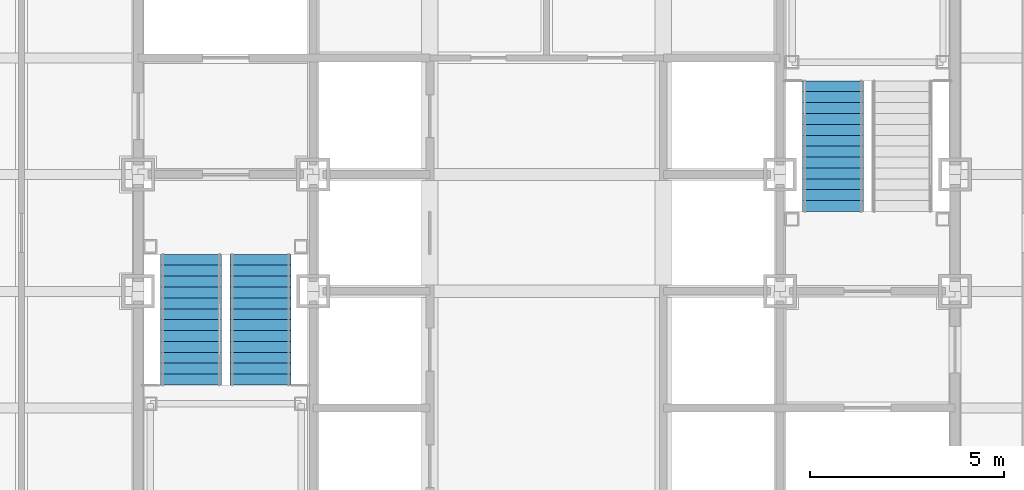
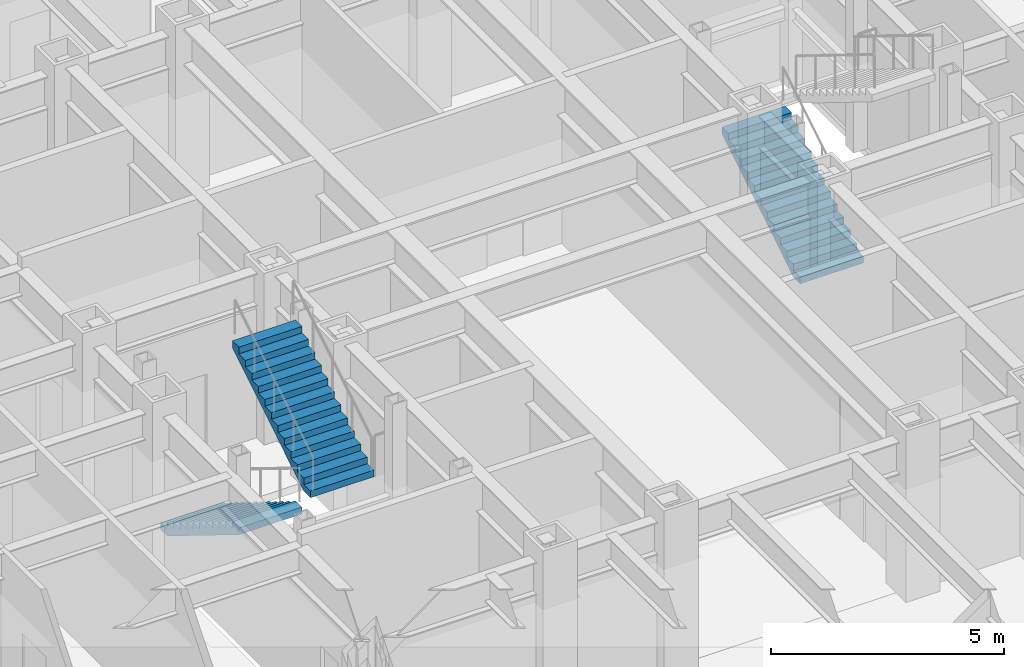
# One storey, part 12 of 17: 3 stair flights, 2 elements without a shape of their own.
"""IFC4 building model written with IfcOpenShell, lengths in metres."""

from ifc_helpers import new_model, si_unit, direction, frame, origin, place, context, subcontext, project, spatial, faceted_brep, material, type_object, element, aggregate, save


model = new_model("IFC4")

# Units and contexts
model_context = context("Model", 3, precision=1e-05, world=origin(), true_north=direction((0.0, 1.0)))
body_context = subcontext(model_context, "Body", "Model", "MODEL_VIEW")
ifc_project = project(units=[si_unit("LENGTHUNIT", "METRE"), si_unit("AREAUNIT", "SQUARE_METRE"), si_unit("VOLUMEUNIT", "CUBIC_METRE"), si_unit("PLANEANGLEUNIT", "RADIAN"), si_unit("MASSUNIT", "GRAM", prefix="KILO")], contexts=[model_context])

# Site, building, storey
site_placement = place(None, origin())
site = spatial("IfcSite", under=ifc_project, at=site_placement, CompositionType="ELEMENT")
building_placement = place(site_placement, origin())
building = spatial("IfcBuilding", under=site, at=building_placement, Name="Chuquiago Exchange Tower", CompositionType="ELEMENT")
storey_placement = place(building_placement, frame((0.0, 0.0, 37.800048828125)))
storey = spatial("IfcBuildingStorey", under=building, at=storey_placement, Name="L07", CompositionType="ELEMENT", Elevation=37.800048828125)

# Stair, stair flights
ifc_material_1 = material(Name="Concrete C30/37, precast", Category="concrete")
stair_type_1 = type_object("IfcStairType", Name="ST1 half-turn stair 4500", PredefinedType="HALF_TURN_STAIR", material=ifc_material_1)
stair_1_placement = place(storey_placement, origin())
stair_1 = element("IfcStair", 1, at=stair_1_placement, inside=storey, type_object=stair_type_1, Name="Stair ST1 L07", PredefinedType="HALF_TURN_STAIR")
ifc_material_2 = material(Name="Concrete C30/37, precast", Category="concrete")
stair_flight_type = type_object("IfcStairFlightType", Name="ST-F flight 1570 for 4500 storey", PredefinedType="STRAIGHT", material=ifc_material_2)
stair_flight_1_placement = place(storey_placement, frame((13.360107421875, 21.949951171875, 0.0), z_axis=(0.0, 0.0, 1.0), x_axis=(0.0, -1.0, 0.0)))
stair_flight_1 = element("IfcStairFlight", 2, at=stair_flight_1_placement, type_object=stair_flight_type, Name="ST1 flight 1", NumberOfRisers=13, NumberOfTreads=12, PredefinedType="STRAIGHT", RiserHeight=0.173076923, TreadLength=0.28, context=body_context, shape_type="Brep", body=[
    faceted_brep([(0.0, 0.78515625, 0.0), (0.0, 0.78515625, 0.173095703125), (0.280029296875, 0.78515625, 0.173095703125), (0.280029296875, 0.78515625, 0.34619140625), (0.56005859375, 0.78515625, 0.34619140625), (0.56005859375, 0.78515625, 0.519287109375), (0.840087890625, 0.78515625, 0.519287109375), (0.840087890625, 0.78515625, 0.6923828125), (1.1201171875, 0.78515625, 0.6923828125), (1.1201171875, 0.78515625, 0.865478515625), (1.39990234375, 0.78515625, 0.865478515625), (1.39990234375, 0.78515625, 1.03857421875), (1.679931640625, 0.78515625, 1.03857421875), (1.679931640625, 0.78515625, 1.21142578125), (1.9599609375, 0.78515625, 1.21142578125), (1.9599609375, 0.78515625, 1.384521484375), (2.239990234375, 0.78515625, 1.384521484375), (2.239990234375, 0.78515625, 1.5576171875), (2.52001953125, 0.78515625, 1.5576171875), (2.52001953125, 0.78515625, 1.730712890625), (2.800048828125, 0.78515625, 1.730712890625), (2.800048828125, 0.78515625, 1.90380859375), (3.080078125, 0.78515625, 1.90380859375), (3.080078125, 0.78515625, 2.076904296875), (3.360107421875, 0.78515625, 2.076904296875), (3.360107421875, 0.78515625, 1.900634765625), (0.28515625, 0.78515625, 0.0), (0.28515625, -0.78515625, 0.0), (3.360107421875, -0.78515625, 1.900634765625), (3.360107421875, -0.78515625, 2.076904296875), (3.080078125, -0.78515625, 2.076904296875), (3.080078125, -0.78515625, 1.90380859375), (2.800048828125, -0.78515625, 1.90380859375), (2.800048828125, -0.78515625, 1.730712890625), (2.52001953125, -0.78515625, 1.730712890625), (2.52001953125, -0.78515625, 1.5576171875), (2.239990234375, -0.78515625, 1.5576171875), (2.239990234375, -0.78515625, 1.384521484375), (1.9599609375, -0.78515625, 1.384521484375), (1.9599609375, -0.78515625, 1.21142578125), (1.679931640625, -0.78515625, 1.21142578125), (1.679931640625, -0.78515625, 1.03857421875), (1.39990234375, -0.78515625, 1.03857421875), (1.39990234375, -0.78515625, 0.865478515625), (1.1201171875, -0.78515625, 0.865478515625), (1.1201171875, -0.78515625, 0.6923828125), (0.840087890625, -0.78515625, 0.6923828125), (0.840087890625, -0.78515625, 0.519287109375), (0.56005859375, -0.78515625, 0.519287109375), (0.56005859375, -0.78515625, 0.34619140625), (0.280029296875, -0.78515625, 0.34619140625), (0.280029296875, -0.78515625, 0.173095703125), (0.0, -0.78515625, 0.173095703125), (0.0, -0.78515625, 0.0), (0.0, 0.392578125, 0.0), (0.0, 0.392578125, 0.173095703125), (0.0, 0.0, 0.0), (0.0, 0.0, 0.173095703125), (0.0, -0.392578125, 0.0), (0.0, -0.392578125, 0.173095703125), (0.280029296875, 0.392578125, 0.173095703125), (0.280029296875, 0.0, 0.173095703125), (0.280029296875, -0.392578125, 0.173095703125), (0.280029296875, 0.392578125, 0.34619140625), (0.280029296875, 0.0, 0.34619140625), (0.280029296875, -0.392578125, 0.34619140625), (0.56005859375, 0.392578125, 0.34619140625), (0.56005859375, 0.0, 0.34619140625), (0.56005859375, -0.392578125, 0.34619140625), (0.56005859375, 0.392578125, 0.519287109375), (0.56005859375, 0.0, 0.519287109375), (0.56005859375, -0.392578125, 0.519287109375), (0.840087890625, 0.392578125, 0.519287109375), (0.840087890625, 0.0, 0.519287109375), (0.840087890625, -0.392578125, 0.519287109375), (0.840087890625, 0.392578125, 0.6923828125), (0.840087890625, 0.0, 0.6923828125), (0.840087890625, -0.392578125, 0.6923828125), (1.1201171875, 0.392578125, 0.6923828125), (1.1201171875, 0.0, 0.6923828125), (1.1201171875, -0.392578125, 0.6923828125), (1.1201171875, 0.392578125, 0.865478515625), (1.1201171875, 0.0, 0.865478515625), (1.1201171875, -0.392578125, 0.865478515625), (1.39990234375, 0.392578125, 0.865478515625), (1.39990234375, 0.0, 0.865478515625), (1.39990234375, -0.392578125, 0.865478515625), (1.39990234375, 0.392578125, 1.03857421875), (1.39990234375, 0.0, 1.03857421875), (1.39990234375, -0.392578125, 1.03857421875), (1.679931640625, 0.392578125, 1.03857421875), (1.679931640625, 0.0, 1.03857421875), (1.679931640625, -0.392578125, 1.03857421875), (1.679931640625, 0.392578125, 1.21142578125), (1.679931640625, 0.0, 1.21142578125), (1.679931640625, -0.392578125, 1.21142578125), (1.9599609375, 0.392578125, 1.21142578125), (1.9599609375, 0.0, 1.21142578125), (1.9599609375, -0.392578125, 1.21142578125), (1.9599609375, 0.392578125, 1.384521484375), (1.9599609375, 0.0, 1.384521484375), (1.9599609375, -0.392578125, 1.384521484375), (2.239990234375, 0.392578125, 1.384521484375), (2.239990234375, 0.0, 1.384521484375), (2.239990234375, -0.392578125, 1.384521484375), (2.239990234375, 0.392578125, 1.5576171875), (2.239990234375, 0.0, 1.5576171875), (2.239990234375, -0.392578125, 1.5576171875), (2.52001953125, 0.392578125, 1.5576171875), (2.52001953125, 0.0, 1.5576171875), (2.52001953125, -0.392578125, 1.5576171875), (2.52001953125, 0.392578125, 1.730712890625), (2.52001953125, 0.0, 1.730712890625), (2.52001953125, -0.392578125, 1.730712890625), (2.800048828125, 0.392578125, 1.730712890625), (2.800048828125, 0.0, 1.730712890625), (2.800048828125, -0.392578125, 1.730712890625), (2.800048828125, 0.392578125, 1.90380859375), (2.800048828125, 0.0, 1.90380859375), (2.800048828125, -0.392578125, 1.90380859375), (3.080078125, 0.392578125, 1.90380859375), (3.080078125, 0.0, 1.90380859375), (3.080078125, -0.392578125, 1.90380859375), (3.080078125, 0.392578125, 2.076904296875), (3.080078125, 0.0, 2.076904296875), (3.080078125, -0.392578125, 2.076904296875), (3.360107421875, 0.392578125, 2.076904296875), (3.360107421875, 0.0, 2.076904296875), (3.360107421875, -0.392578125, 2.076904296875), (3.360107421875, 0.392578125, 1.900634765625), (3.360107421875, 0.0, 1.900634765625), (3.360107421875, -0.392578125, 1.900634765625), (0.28515625, 0.392578125, 0.0), (0.28515625, 0.0, 0.0), (0.28515625, -0.392578125, 0.0)], [[[0, 1, 2, 3, 4, 5, 6, 7, 8, 9, 10, 11, 12, 13, 14, 15, 16, 17, 18, 19, 20, 21, 22, 23, 24, 25, 26]], [[27, 28, 29, 30, 31, 32, 33, 34, 35, 36, 37, 38, 39, 40, 41, 42, 43, 44, 45, 46, 47, 48, 49, 50, 51, 52, 53]], [[1, 0, 54, 55]], [[55, 54, 56, 57]], [[57, 56, 58, 59]], [[59, 58, 53, 52]], [[2, 1, 55, 60]], [[60, 55, 57, 61]], [[61, 57, 59, 62]], [[62, 59, 52, 51]], [[3, 2, 60, 63]], [[63, 60, 61, 64]], [[64, 61, 62, 65]], [[65, 62, 51, 50]], [[4, 3, 63, 66]], [[66, 63, 64, 67]], [[67, 64, 65, 68]], [[68, 65, 50, 49]], [[5, 4, 66, 69]], [[69, 66, 67, 70]], [[70, 67, 68, 71]], [[71, 68, 49, 48]], [[6, 5, 69, 72]], [[72, 69, 70, 73]], [[73, 70, 71, 74]], [[74, 71, 48, 47]], [[7, 6, 72, 75]], [[75, 72, 73, 76]], [[76, 73, 74, 77]], [[77, 74, 47, 46]], [[8, 7, 75, 78]], [[78, 75, 76, 79]], [[79, 76, 77, 80]], [[80, 77, 46, 45]], [[9, 8, 78, 81]], [[81, 78, 79, 82]], [[82, 79, 80, 83]], [[83, 80, 45, 44]], [[10, 9, 81, 84]], [[84, 81, 82, 85]], [[85, 82, 83, 86]], [[86, 83, 44, 43]], [[11, 10, 84, 87]], [[87, 84, 85, 88]], [[88, 85, 86, 89]], [[89, 86, 43, 42]], [[12, 11, 87, 90]], [[90, 87, 88, 91]], [[91, 88, 89, 92]], [[92, 89, 42, 41]], [[13, 12, 90, 93]], [[93, 90, 91, 94]], [[94, 91, 92, 95]], [[95, 92, 41, 40]], [[14, 13, 93, 96]], [[96, 93, 94, 97]], [[97, 94, 95, 98]], [[98, 95, 40, 39]], [[15, 14, 96, 99]], [[99, 96, 97, 100]], [[100, 97, 98, 101]], [[101, 98, 39, 38]], [[16, 15, 99, 102]], [[102, 99, 100, 103]], [[103, 100, 101, 104]], [[104, 101, 38, 37]], [[17, 16, 102, 105]], [[105, 102, 103, 106]], [[106, 103, 104, 107]], [[107, 104, 37, 36]], [[18, 17, 105, 108]], [[108, 105, 106, 109]], [[109, 106, 107, 110]], [[110, 107, 36, 35]], [[19, 18, 108, 111]], [[111, 108, 109, 112]], [[112, 109, 110, 113]], [[113, 110, 35, 34]], [[20, 19, 111, 114]], [[114, 111, 112, 115]], [[115, 112, 113, 116]], [[116, 113, 34, 33]], [[21, 20, 114, 117]], [[117, 114, 115, 118]], [[118, 115, 116, 119]], [[119, 116, 33, 32]], [[22, 21, 117, 120]], [[120, 117, 118, 121]], [[121, 118, 119, 122]], [[122, 119, 32, 31]], [[23, 22, 120, 123]], [[123, 120, 121, 124]], [[124, 121, 122, 125]], [[125, 122, 31, 30]], [[24, 23, 123, 126]], [[126, 123, 124, 127]], [[127, 124, 125, 128]], [[128, 125, 30, 29]], [[25, 24, 126, 129]], [[129, 126, 127, 130]], [[130, 127, 128, 131]], [[131, 128, 29, 28]], [[26, 25, 129, 132]], [[132, 129, 130, 133]], [[133, 130, 131, 134]], [[134, 131, 28, 27]], [[0, 26, 132, 54]], [[54, 132, 133, 56]], [[56, 133, 134, 58]], [[58, 134, 27, 53]]]),
])
stair_flight_2_placement = place(storey_placement, frame((15.139892578125, 18.590087890625, 2.25), z_axis=(0.0, 0.0, 1.0), x_axis=(0.0, 1.0, 0.0)))
stair_flight_2 = element("IfcStairFlight", 3, at=stair_flight_2_placement, type_object=stair_flight_type, Name="ST1 flight 2", NumberOfRisers=13, NumberOfTreads=12, PredefinedType="STRAIGHT", RiserHeight=0.173076923, TreadLength=0.28, context=body_context, shape_type="Brep", body=[
    faceted_brep([(0.0, 0.78515625, 0.0), (0.0, 0.78515625, 0.173095703125), (0.280029296875, 0.78515625, 0.173095703125), (0.280029296875, 0.78515625, 0.34619140625), (0.56005859375, 0.78515625, 0.34619140625), (0.56005859375, 0.78515625, 0.519287109375), (0.840087890625, 0.78515625, 0.519287109375), (0.840087890625, 0.78515625, 0.6923828125), (1.1201171875, 0.78515625, 0.6923828125), (1.1201171875, 0.78515625, 0.865478515625), (1.39990234375, 0.78515625, 0.865478515625), (1.39990234375, 0.78515625, 1.03857421875), (1.679931640625, 0.78515625, 1.03857421875), (1.679931640625, 0.78515625, 1.21142578125), (1.9599609375, 0.78515625, 1.21142578125), (1.9599609375, 0.78515625, 1.384521484375), (2.239990234375, 0.78515625, 1.384521484375), (2.239990234375, 0.78515625, 1.5576171875), (2.52001953125, 0.78515625, 1.5576171875), (2.52001953125, 0.78515625, 1.730712890625), (2.800048828125, 0.78515625, 1.730712890625), (2.800048828125, 0.78515625, 1.90380859375), (3.080078125, 0.78515625, 1.90380859375), (3.080078125, 0.78515625, 2.076904296875), (3.360107421875, 0.78515625, 2.076904296875), (3.360107421875, 0.78515625, 1.900634765625), (0.28515625, 0.78515625, 0.0), (0.28515625, -0.78515625, 0.0), (3.360107421875, -0.78515625, 1.900634765625), (3.360107421875, -0.78515625, 2.076904296875), (3.080078125, -0.78515625, 2.076904296875), (3.080078125, -0.78515625, 1.90380859375), (2.800048828125, -0.78515625, 1.90380859375), (2.800048828125, -0.78515625, 1.730712890625), (2.52001953125, -0.78515625, 1.730712890625), (2.52001953125, -0.78515625, 1.5576171875), (2.239990234375, -0.78515625, 1.5576171875), (2.239990234375, -0.78515625, 1.384521484375), (1.9599609375, -0.78515625, 1.384521484375), (1.9599609375, -0.78515625, 1.21142578125), (1.679931640625, -0.78515625, 1.21142578125), (1.679931640625, -0.78515625, 1.03857421875), (1.39990234375, -0.78515625, 1.03857421875), (1.39990234375, -0.78515625, 0.865478515625), (1.1201171875, -0.78515625, 0.865478515625), (1.1201171875, -0.78515625, 0.6923828125), (0.840087890625, -0.78515625, 0.6923828125), (0.840087890625, -0.78515625, 0.519287109375), (0.56005859375, -0.78515625, 0.519287109375), (0.56005859375, -0.78515625, 0.34619140625), (0.280029296875, -0.78515625, 0.34619140625), (0.280029296875, -0.78515625, 0.173095703125), (0.0, -0.78515625, 0.173095703125), (0.0, -0.78515625, 0.0), (0.0, 0.392578125, 0.0), (0.0, 0.392578125, 0.173095703125), (0.0, 0.0, 0.0), (0.0, 0.0, 0.173095703125), (0.0, -0.392578125, 0.0), (0.0, -0.392578125, 0.173095703125), (0.280029296875, 0.392578125, 0.173095703125), (0.280029296875, 0.0, 0.173095703125), (0.280029296875, -0.392578125, 0.173095703125), (0.280029296875, 0.392578125, 0.34619140625), (0.280029296875, 0.0, 0.34619140625), (0.280029296875, -0.392578125, 0.34619140625), (0.56005859375, 0.392578125, 0.34619140625), (0.56005859375, 0.0, 0.34619140625), (0.56005859375, -0.392578125, 0.34619140625), (0.56005859375, 0.392578125, 0.519287109375), (0.56005859375, 0.0, 0.519287109375), (0.56005859375, -0.392578125, 0.519287109375), (0.840087890625, 0.392578125, 0.519287109375), (0.840087890625, 0.0, 0.519287109375), (0.840087890625, -0.392578125, 0.519287109375), (0.840087890625, 0.392578125, 0.6923828125), (0.840087890625, 0.0, 0.6923828125), (0.840087890625, -0.392578125, 0.6923828125), (1.1201171875, 0.392578125, 0.6923828125), (1.1201171875, 0.0, 0.6923828125), (1.1201171875, -0.392578125, 0.6923828125), (1.1201171875, 0.392578125, 0.865478515625), (1.1201171875, 0.0, 0.865478515625), (1.1201171875, -0.392578125, 0.865478515625), (1.39990234375, 0.392578125, 0.865478515625), (1.39990234375, 0.0, 0.865478515625), (1.39990234375, -0.392578125, 0.865478515625), (1.39990234375, 0.392578125, 1.03857421875), (1.39990234375, 0.0, 1.03857421875), (1.39990234375, -0.392578125, 1.03857421875), (1.679931640625, 0.392578125, 1.03857421875), (1.679931640625, 0.0, 1.03857421875), (1.679931640625, -0.392578125, 1.03857421875), (1.679931640625, 0.392578125, 1.21142578125), (1.679931640625, 0.0, 1.21142578125), (1.679931640625, -0.392578125, 1.21142578125), (1.9599609375, 0.392578125, 1.21142578125), (1.9599609375, 0.0, 1.21142578125), (1.9599609375, -0.392578125, 1.21142578125), (1.9599609375, 0.392578125, 1.384521484375), (1.9599609375, 0.0, 1.384521484375), (1.9599609375, -0.392578125, 1.384521484375), (2.239990234375, 0.392578125, 1.384521484375), (2.239990234375, 0.0, 1.384521484375), (2.239990234375, -0.392578125, 1.384521484375), (2.239990234375, 0.392578125, 1.5576171875), (2.239990234375, 0.0, 1.5576171875), (2.239990234375, -0.392578125, 1.5576171875), (2.52001953125, 0.392578125, 1.5576171875), (2.52001953125, 0.0, 1.5576171875), (2.52001953125, -0.392578125, 1.5576171875), (2.52001953125, 0.392578125, 1.730712890625), (2.52001953125, 0.0, 1.730712890625), (2.52001953125, -0.392578125, 1.730712890625), (2.800048828125, 0.392578125, 1.730712890625), (2.800048828125, 0.0, 1.730712890625), (2.800048828125, -0.392578125, 1.730712890625), (2.800048828125, 0.392578125, 1.90380859375), (2.800048828125, 0.0, 1.90380859375), (2.800048828125, -0.392578125, 1.90380859375), (3.080078125, 0.392578125, 1.90380859375), (3.080078125, 0.0, 1.90380859375), (3.080078125, -0.392578125, 1.90380859375), (3.080078125, 0.392578125, 2.076904296875), (3.080078125, 0.0, 2.076904296875), (3.080078125, -0.392578125, 2.076904296875), (3.360107421875, 0.392578125, 2.076904296875), (3.360107421875, 0.0, 2.076904296875), (3.360107421875, -0.392578125, 2.076904296875), (3.360107421875, 0.392578125, 1.900634765625), (3.360107421875, 0.0, 1.900634765625), (3.360107421875, -0.392578125, 1.900634765625), (0.28515625, 0.392578125, 0.0), (0.28515625, 0.0, 0.0), (0.28515625, -0.392578125, 0.0)], [[[0, 1, 2, 3, 4, 5, 6, 7, 8, 9, 10, 11, 12, 13, 14, 15, 16, 17, 18, 19, 20, 21, 22, 23, 24, 25, 26]], [[27, 28, 29, 30, 31, 32, 33, 34, 35, 36, 37, 38, 39, 40, 41, 42, 43, 44, 45, 46, 47, 48, 49, 50, 51, 52, 53]], [[1, 0, 54, 55]], [[55, 54, 56, 57]], [[57, 56, 58, 59]], [[59, 58, 53, 52]], [[2, 1, 55, 60]], [[60, 55, 57, 61]], [[61, 57, 59, 62]], [[62, 59, 52, 51]], [[3, 2, 60, 63]], [[63, 60, 61, 64]], [[64, 61, 62, 65]], [[65, 62, 51, 50]], [[4, 3, 63, 66]], [[66, 63, 64, 67]], [[67, 64, 65, 68]], [[68, 65, 50, 49]], [[5, 4, 66, 69]], [[69, 66, 67, 70]], [[70, 67, 68, 71]], [[71, 68, 49, 48]], [[6, 5, 69, 72]], [[72, 69, 70, 73]], [[73, 70, 71, 74]], [[74, 71, 48, 47]], [[7, 6, 72, 75]], [[75, 72, 73, 76]], [[76, 73, 74, 77]], [[77, 74, 47, 46]], [[8, 7, 75, 78]], [[78, 75, 76, 79]], [[79, 76, 77, 80]], [[80, 77, 46, 45]], [[9, 8, 78, 81]], [[81, 78, 79, 82]], [[82, 79, 80, 83]], [[83, 80, 45, 44]], [[10, 9, 81, 84]], [[84, 81, 82, 85]], [[85, 82, 83, 86]], [[86, 83, 44, 43]], [[11, 10, 84, 87]], [[87, 84, 85, 88]], [[88, 85, 86, 89]], [[89, 86, 43, 42]], [[12, 11, 87, 90]], [[90, 87, 88, 91]], [[91, 88, 89, 92]], [[92, 89, 42, 41]], [[13, 12, 90, 93]], [[93, 90, 91, 94]], [[94, 91, 92, 95]], [[95, 92, 41, 40]], [[14, 13, 93, 96]], [[96, 93, 94, 97]], [[97, 94, 95, 98]], [[98, 95, 40, 39]], [[15, 14, 96, 99]], [[99, 96, 97, 100]], [[100, 97, 98, 101]], [[101, 98, 39, 38]], [[16, 15, 99, 102]], [[102, 99, 100, 103]], [[103, 100, 101, 104]], [[104, 101, 38, 37]], [[17, 16, 102, 105]], [[105, 102, 103, 106]], [[106, 103, 104, 107]], [[107, 104, 37, 36]], [[18, 17, 105, 108]], [[108, 105, 106, 109]], [[109, 106, 107, 110]], [[110, 107, 36, 35]], [[19, 18, 108, 111]], [[111, 108, 109, 112]], [[112, 109, 110, 113]], [[113, 110, 35, 34]], [[20, 19, 111, 114]], [[114, 111, 112, 115]], [[115, 112, 113, 116]], [[116, 113, 34, 33]], [[21, 20, 114, 117]], [[117, 114, 115, 118]], [[118, 115, 116, 119]], [[119, 116, 33, 32]], [[22, 21, 117, 120]], [[120, 117, 118, 121]], [[121, 118, 119, 122]], [[122, 119, 32, 31]], [[23, 22, 120, 123]], [[123, 120, 121, 124]], [[124, 121, 122, 125]], [[125, 122, 31, 30]], [[24, 23, 123, 126]], [[126, 123, 124, 127]], [[127, 124, 125, 128]], [[128, 125, 30, 29]], [[25, 24, 126, 129]], [[129, 126, 127, 130]], [[130, 127, 128, 131]], [[131, 128, 29, 28]], [[26, 25, 129, 132]], [[132, 129, 130, 133]], [[133, 130, 131, 134]], [[134, 131, 28, 27]], [[0, 26, 132, 54]], [[54, 132, 133, 56]], [[56, 133, 134, 58]], [[58, 134, 27, 53]]]),
])
aggregate(stair_1, [stair_flight_1, stair_flight_2])

# Stair, stair flight
ifc_material_3 = material(Name="Concrete C30/37, precast", Category="concrete")
stair_type_2 = type_object("IfcStairType", Name="ST2 half-turn stair 4500", PredefinedType="HALF_TURN_STAIR", material=ifc_material_3)
stair_2_placement = place(storey_placement, origin())
stair_2 = element("IfcStair", 4, at=stair_2_placement, inside=storey, type_object=stair_type_2, Name="Stair ST2 L07", PredefinedType="HALF_TURN_STAIR")
stair_flight_3_placement = place(storey_placement, frame((29.860107421875, 23.050048828125, 0.0), z_axis=(0.0, 0.0, 1.0), x_axis=(0.0, 1.0, 0.0)))
stair_flight_3 = element("IfcStairFlight", 5, at=stair_flight_3_placement, type_object=stair_flight_type, Name="ST2 flight 1", NumberOfRisers=13, NumberOfTreads=12, PredefinedType="STRAIGHT", RiserHeight=0.173076923, TreadLength=0.28, context=body_context, shape_type="Brep", body=[
    faceted_brep([(0.0, 0.78515625, 0.0), (0.0, 0.78515625, 0.173095703125), (0.280029296875, 0.78515625, 0.173095703125), (0.280029296875, 0.78515625, 0.34619140625), (0.56005859375, 0.78515625, 0.34619140625), (0.56005859375, 0.78515625, 0.519287109375), (0.840087890625, 0.78515625, 0.519287109375), (0.840087890625, 0.78515625, 0.6923828125), (1.1201171875, 0.78515625, 0.6923828125), (1.1201171875, 0.78515625, 0.865478515625), (1.39990234375, 0.78515625, 0.865478515625), (1.39990234375, 0.78515625, 1.03857421875), (1.679931640625, 0.78515625, 1.03857421875), (1.679931640625, 0.78515625, 1.21142578125), (1.9599609375, 0.78515625, 1.21142578125), (1.9599609375, 0.78515625, 1.384521484375), (2.239990234375, 0.78515625, 1.384521484375), (2.239990234375, 0.78515625, 1.5576171875), (2.52001953125, 0.78515625, 1.5576171875), (2.52001953125, 0.78515625, 1.730712890625), (2.800048828125, 0.78515625, 1.730712890625), (2.800048828125, 0.78515625, 1.90380859375), (3.080078125, 0.78515625, 1.90380859375), (3.080078125, 0.78515625, 2.076904296875), (3.360107421875, 0.78515625, 2.076904296875), (3.360107421875, 0.78515625, 1.900634765625), (0.28515625, 0.78515625, 0.0), (0.28515625, -0.78515625, 0.0), (3.360107421875, -0.78515625, 1.900634765625), (3.360107421875, -0.78515625, 2.076904296875), (3.080078125, -0.78515625, 2.076904296875), (3.080078125, -0.78515625, 1.90380859375), (2.800048828125, -0.78515625, 1.90380859375), (2.800048828125, -0.78515625, 1.730712890625), (2.52001953125, -0.78515625, 1.730712890625), (2.52001953125, -0.78515625, 1.5576171875), (2.239990234375, -0.78515625, 1.5576171875), (2.239990234375, -0.78515625, 1.384521484375), (1.9599609375, -0.78515625, 1.384521484375), (1.9599609375, -0.78515625, 1.21142578125), (1.679931640625, -0.78515625, 1.21142578125), (1.679931640625, -0.78515625, 1.03857421875), (1.39990234375, -0.78515625, 1.03857421875), (1.39990234375, -0.78515625, 0.865478515625), (1.1201171875, -0.78515625, 0.865478515625), (1.1201171875, -0.78515625, 0.6923828125), (0.840087890625, -0.78515625, 0.6923828125), (0.840087890625, -0.78515625, 0.519287109375), (0.56005859375, -0.78515625, 0.519287109375), (0.56005859375, -0.78515625, 0.34619140625), (0.280029296875, -0.78515625, 0.34619140625), (0.280029296875, -0.78515625, 0.173095703125), (0.0, -0.78515625, 0.173095703125), (0.0, -0.78515625, 0.0), (0.0, 0.392578125, 0.0), (0.0, 0.392578125, 0.173095703125), (0.0, 0.0, 0.0), (0.0, 0.0, 0.173095703125), (0.0, -0.392578125, 0.0), (0.0, -0.392578125, 0.173095703125), (0.280029296875, 0.392578125, 0.173095703125), (0.280029296875, 0.0, 0.173095703125), (0.280029296875, -0.392578125, 0.173095703125), (0.280029296875, 0.392578125, 0.34619140625), (0.280029296875, 0.0, 0.34619140625), (0.280029296875, -0.392578125, 0.34619140625), (0.56005859375, 0.392578125, 0.34619140625), (0.56005859375, 0.0, 0.34619140625), (0.56005859375, -0.392578125, 0.34619140625), (0.56005859375, 0.392578125, 0.519287109375), (0.56005859375, 0.0, 0.519287109375), (0.56005859375, -0.392578125, 0.519287109375), (0.840087890625, 0.392578125, 0.519287109375), (0.840087890625, 0.0, 0.519287109375), (0.840087890625, -0.392578125, 0.519287109375), (0.840087890625, 0.392578125, 0.6923828125), (0.840087890625, 0.0, 0.6923828125), (0.840087890625, -0.392578125, 0.6923828125), (1.1201171875, 0.392578125, 0.6923828125), (1.1201171875, 0.0, 0.6923828125), (1.1201171875, -0.392578125, 0.6923828125), (1.1201171875, 0.392578125, 0.865478515625), (1.1201171875, 0.0, 0.865478515625), (1.1201171875, -0.392578125, 0.865478515625), (1.39990234375, 0.392578125, 0.865478515625), (1.39990234375, 0.0, 0.865478515625), (1.39990234375, -0.392578125, 0.865478515625), (1.39990234375, 0.392578125, 1.03857421875), (1.39990234375, 0.0, 1.03857421875), (1.39990234375, -0.392578125, 1.03857421875), (1.679931640625, 0.392578125, 1.03857421875), (1.679931640625, 0.0, 1.03857421875), (1.679931640625, -0.392578125, 1.03857421875), (1.679931640625, 0.392578125, 1.21142578125), (1.679931640625, 0.0, 1.21142578125), (1.679931640625, -0.392578125, 1.21142578125), (1.9599609375, 0.392578125, 1.21142578125), (1.9599609375, 0.0, 1.21142578125), (1.9599609375, -0.392578125, 1.21142578125), (1.9599609375, 0.392578125, 1.384521484375), (1.9599609375, 0.0, 1.384521484375), (1.9599609375, -0.392578125, 1.384521484375), (2.239990234375, 0.392578125, 1.384521484375), (2.239990234375, 0.0, 1.384521484375), (2.239990234375, -0.392578125, 1.384521484375), (2.239990234375, 0.392578125, 1.5576171875), (2.239990234375, 0.0, 1.5576171875), (2.239990234375, -0.392578125, 1.5576171875), (2.52001953125, 0.392578125, 1.5576171875), (2.52001953125, 0.0, 1.5576171875), (2.52001953125, -0.392578125, 1.5576171875), (2.52001953125, 0.392578125, 1.730712890625), (2.52001953125, 0.0, 1.730712890625), (2.52001953125, -0.392578125, 1.730712890625), (2.800048828125, 0.392578125, 1.730712890625), (2.800048828125, 0.0, 1.730712890625), (2.800048828125, -0.392578125, 1.730712890625), (2.800048828125, 0.392578125, 1.90380859375), (2.800048828125, 0.0, 1.90380859375), (2.800048828125, -0.392578125, 1.90380859375), (3.080078125, 0.392578125, 1.90380859375), (3.080078125, 0.0, 1.90380859375), (3.080078125, -0.392578125, 1.90380859375), (3.080078125, 0.392578125, 2.076904296875), (3.080078125, 0.0, 2.076904296875), (3.080078125, -0.392578125, 2.076904296875), (3.360107421875, 0.392578125, 2.076904296875), (3.360107421875, 0.0, 2.076904296875), (3.360107421875, -0.392578125, 2.076904296875), (3.360107421875, 0.392578125, 1.900634765625), (3.360107421875, 0.0, 1.900634765625), (3.360107421875, -0.392578125, 1.900634765625), (0.28515625, 0.392578125, 0.0), (0.28515625, 0.0, 0.0), (0.28515625, -0.392578125, 0.0)], [[[0, 1, 2, 3, 4, 5, 6, 7, 8, 9, 10, 11, 12, 13, 14, 15, 16, 17, 18, 19, 20, 21, 22, 23, 24, 25, 26]], [[27, 28, 29, 30, 31, 32, 33, 34, 35, 36, 37, 38, 39, 40, 41, 42, 43, 44, 45, 46, 47, 48, 49, 50, 51, 52, 53]], [[1, 0, 54, 55]], [[55, 54, 56, 57]], [[57, 56, 58, 59]], [[59, 58, 53, 52]], [[2, 1, 55, 60]], [[60, 55, 57, 61]], [[61, 57, 59, 62]], [[62, 59, 52, 51]], [[3, 2, 60, 63]], [[63, 60, 61, 64]], [[64, 61, 62, 65]], [[65, 62, 51, 50]], [[4, 3, 63, 66]], [[66, 63, 64, 67]], [[67, 64, 65, 68]], [[68, 65, 50, 49]], [[5, 4, 66, 69]], [[69, 66, 67, 70]], [[70, 67, 68, 71]], [[71, 68, 49, 48]], [[6, 5, 69, 72]], [[72, 69, 70, 73]], [[73, 70, 71, 74]], [[74, 71, 48, 47]], [[7, 6, 72, 75]], [[75, 72, 73, 76]], [[76, 73, 74, 77]], [[77, 74, 47, 46]], [[8, 7, 75, 78]], [[78, 75, 76, 79]], [[79, 76, 77, 80]], [[80, 77, 46, 45]], [[9, 8, 78, 81]], [[81, 78, 79, 82]], [[82, 79, 80, 83]], [[83, 80, 45, 44]], [[10, 9, 81, 84]], [[84, 81, 82, 85]], [[85, 82, 83, 86]], [[86, 83, 44, 43]], [[11, 10, 84, 87]], [[87, 84, 85, 88]], [[88, 85, 86, 89]], [[89, 86, 43, 42]], [[12, 11, 87, 90]], [[90, 87, 88, 91]], [[91, 88, 89, 92]], [[92, 89, 42, 41]], [[13, 12, 90, 93]], [[93, 90, 91, 94]], [[94, 91, 92, 95]], [[95, 92, 41, 40]], [[14, 13, 93, 96]], [[96, 93, 94, 97]], [[97, 94, 95, 98]], [[98, 95, 40, 39]], [[15, 14, 96, 99]], [[99, 96, 97, 100]], [[100, 97, 98, 101]], [[101, 98, 39, 38]], [[16, 15, 99, 102]], [[102, 99, 100, 103]], [[103, 100, 101, 104]], [[104, 101, 38, 37]], [[17, 16, 102, 105]], [[105, 102, 103, 106]], [[106, 103, 104, 107]], [[107, 104, 37, 36]], [[18, 17, 105, 108]], [[108, 105, 106, 109]], [[109, 106, 107, 110]], [[110, 107, 36, 35]], [[19, 18, 108, 111]], [[111, 108, 109, 112]], [[112, 109, 110, 113]], [[113, 110, 35, 34]], [[20, 19, 111, 114]], [[114, 111, 112, 115]], [[115, 112, 113, 116]], [[116, 113, 34, 33]], [[21, 20, 114, 117]], [[117, 114, 115, 118]], [[118, 115, 116, 119]], [[119, 116, 33, 32]], [[22, 21, 117, 120]], [[120, 117, 118, 121]], [[121, 118, 119, 122]], [[122, 119, 32, 31]], [[23, 22, 120, 123]], [[123, 120, 121, 124]], [[124, 121, 122, 125]], [[125, 122, 31, 30]], [[24, 23, 123, 126]], [[126, 123, 124, 127]], [[127, 124, 125, 128]], [[128, 125, 30, 29]], [[25, 24, 126, 129]], [[129, 126, 127, 130]], [[130, 127, 128, 131]], [[131, 128, 29, 28]], [[26, 25, 129, 132]], [[132, 129, 130, 133]], [[133, 130, 131, 134]], [[134, 131, 28, 27]], [[0, 26, 132, 54]], [[54, 132, 133, 56]], [[56, 133, 134, 58]], [[58, 134, 27, 53]]]),
])
aggregate(stair_2, [stair_flight_3])

save(model, "model.ifc")
